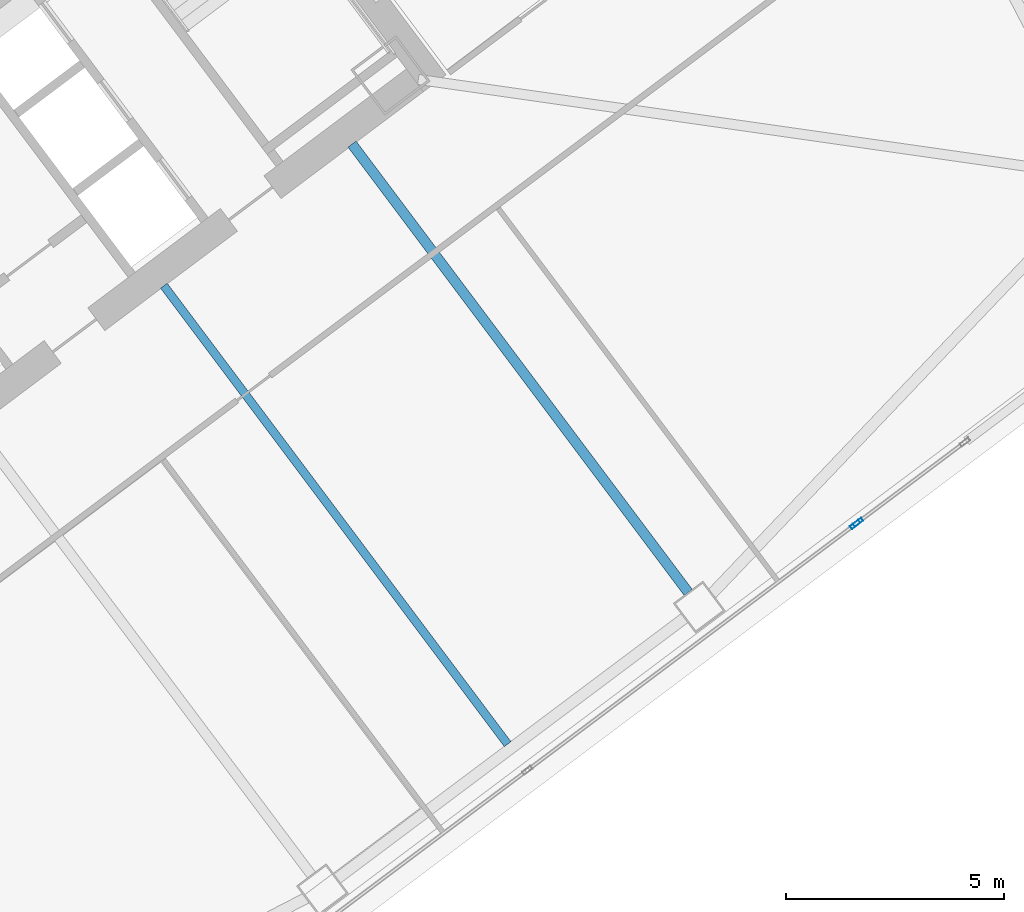
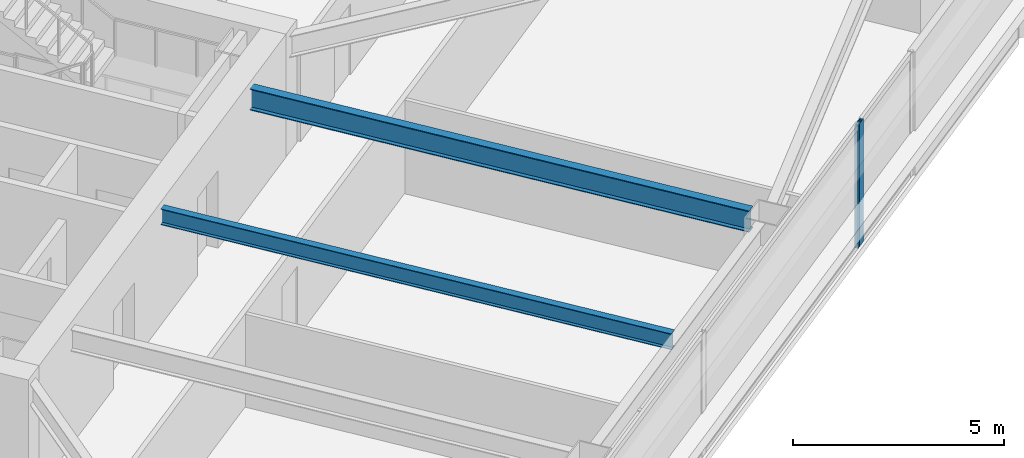
# One storey, part 25 of 48: 2 beams, 2 members, 2 elements without a shape of their own.
"""IFC4 building model written with IfcOpenShell, lengths in metres."""

from ifc_helpers import new_model, si_unit, direction, frame, origin, origin_2d, place, context, subcontext, project, spatial, hollow_rectangle, i_section, extrude, material, material_profile, profile_set, type_object, element, aggregate, save


model = new_model("IFC4")

# Units and contexts
model_context = context("Model", 3, precision=1e-05, world=origin(), true_north=direction((0.0, 1.0)))
body_context = subcontext(model_context, "Body", "Model", "MODEL_VIEW")
ifc_project = project(units=[si_unit("LENGTHUNIT", "METRE"), si_unit("AREAUNIT", "SQUARE_METRE"), si_unit("VOLUMEUNIT", "CUBIC_METRE"), si_unit("PLANEANGLEUNIT", "RADIAN"), si_unit("MASSUNIT", "GRAM", prefix="KILO")], contexts=[model_context])

# Site, building, storey
site_placement = place(None, origin())
site = spatial("IfcSite", under=ifc_project, at=site_placement, CompositionType="ELEMENT")
building_placement = place(site_placement, origin())
building = spatial("IfcBuilding", under=site, at=building_placement, Name="Tashvorn Skyway Center", CompositionType="ELEMENT")
storey_placement = place(building_placement, frame((0.0, 0.0, 56.550048828125)))
storey = spatial("IfcBuildingStorey", under=building, at=storey_placement, Name="L14", CompositionType="ELEMENT", Elevation=56.550048828125)

# Beams
ifc_material_1 = material(Name="Steel ASTM A992 Grade 50", Category="steel")
ifc_material_profile_1 = material_profile(ifc_material_1, i_section(OverallWidth=0.22998046875, OverallDepth=0.616943359375, WebThickness=0.01318359375, FlangeThickness=0.022216796875, at=origin_2d()), Name="W24X94")
ifc_profile_set_1 = profile_set([ifc_material_profile_1], Name="Steel ASTM A992 Grade 50")
beam_type_1 = type_object("IfcBeamType", Name="BM-BEAM-W24X94", PredefinedType="BEAM", material=ifc_profile_set_1)
beam_1_placement = place(storey_placement, frame((130.697998046875, 18.736083984375, 3.04150390625), z_axis=(-0.599996960112, 0.800002279907, 0.0), x_axis=(-0.800002279907, -0.599996960112, 0.0)))
element("IfcBeam", 1, at=beam_1_placement, inside=storey, type_object=beam_type_1, Name="Tower 2 L14 Primary Floor Girder FC-S2", PredefinedType="BEAM", context=body_context, shape_type="SweptSolid", body=[
    extrude(i_section(OverallWidth=0.22998046875, OverallDepth=0.616943359375, WebThickness=0.01318359375, FlangeThickness=0.022216796875, at=origin_2d()), origin(), (0.0, 0.0, 1.0), 12.85009765625),
])
ifc_material_profile_2 = material_profile(ifc_material_1, i_section(OverallWidth=0.19091796875, OverallDepth=0.4599609375, WebThickness=0.010009765625, FlangeThickness=0.01611328125, at=origin_2d()), Name="W18X55")
ifc_profile_set_2 = profile_set([ifc_material_profile_2], Name="Steel ASTM A992 Grade 50")
beam_type_2 = type_object("IfcBeamType", Name="BM-JOIST-W18X55", PredefinedType="JOIST", material=ifc_profile_set_2)
beam_2_placement = place(storey_placement, frame((118.674072265625, 25.76806640625, 3.119873046875), z_axis=(0.600002972791, -0.799997770398, 0.0), x_axis=(0.799997770398, 0.600002972791, 0.0)))
element("IfcBeam", 2, at=beam_2_placement, inside=storey, type_object=beam_type_2, Name="Tower 2 L14 Secondary Composite Joist JS", PredefinedType="JOIST", context=body_context, shape_type="SweptSolid", body=[
    extrude(i_section(OverallWidth=0.19091796875, OverallDepth=0.4599609375, WebThickness=0.010009765625, FlangeThickness=0.01611328125, at=origin_2d()), origin(), (0.0, 0.0, 1.0), 13.139892578125),
])

# Curtain wall, member
ifc_material_2 = material(Name="Thermally broken bronze-anodized aluminium 6063-T6", Category="aluminium")
curtain_wall_type = type_object("IfcCurtainWallType", Name="CW-CW-Z1", PredefinedType="NOTDEFINED", material=ifc_material_2)
curtain_wall_1_placement = place(storey_placement, origin())
curtain_wall_1 = element("IfcCurtainWall", 3, at=curtain_wall_1_placement, inside=storey, type_object=curtain_wall_type, Name="Tower 2 L14 South Unitised Curtain Wall Glazing Group 1", PredefinedType="NOTDEFINED")
ifc_material_profile_3 = material_profile(ifc_material_2, hollow_rectangle(XDim=0.0849609375, YDim=0.239990234375, WallThickness=0.0048828125, at=origin_2d()), Name="ALU-MULL-85x240")
ifc_profile_set_3 = profile_set([ifc_material_profile_3], Name="Thermally broken bronze-anodized aluminium 6063-T6")
member_type = type_object("IfcMemberType", Name="CWM-CW-Z1", PredefinedType="MULLION", material=ifc_profile_set_3)
member_1_placement = place(storey_placement, frame((134.593994140625, 20.345458984375, 0.0), z_axis=(0.0, 0.0, 1.0), x_axis=(0.600005084776, -0.799996186392, 0.0)))
member_1 = element("IfcMember", 4, at=member_1_placement, type_object=member_type, Name="CW-Z1 mullion 2", PredefinedType="MULLION", context=body_context, shape_type="SweptSolid", body=[
    extrude(hollow_rectangle(XDim=0.0849609375, YDim=0.239990234375, WallThickness=0.0048828125, at=origin_2d()), origin(), (0.0, 0.0, 1.0), 3.550048828125),
])
aggregate(curtain_wall_1, [member_1])

curtain_wall_2_placement = place(storey_placement, origin())
curtain_wall_2 = element("IfcCurtainWall", 5, at=curtain_wall_2_placement, inside=storey, type_object=curtain_wall_type, Name="Tower 2 L14 South Unitised Curtain Wall Glazing Group 2", PredefinedType="NOTDEFINED")
member_2_placement = place(storey_placement, frame((134.52587890625, 20.29443359375, 0.0), z_axis=(0.0, 0.0, 1.0), x_axis=(0.600000000002, -0.799999999998, 0.0)))
member_2 = element("IfcMember", 6, at=member_2_placement, type_object=member_type, Name="CW-Z1 mullion 1", PredefinedType="MULLION", context=body_context, shape_type="SweptSolid", body=[
    extrude(hollow_rectangle(XDim=0.0849609375, YDim=0.239990234375, WallThickness=0.0048828125, at=origin_2d()), origin(), (0.0, 0.0, 1.0), 3.550048828125),
])
aggregate(curtain_wall_2, [member_2])

save(model, "model.ifc")
